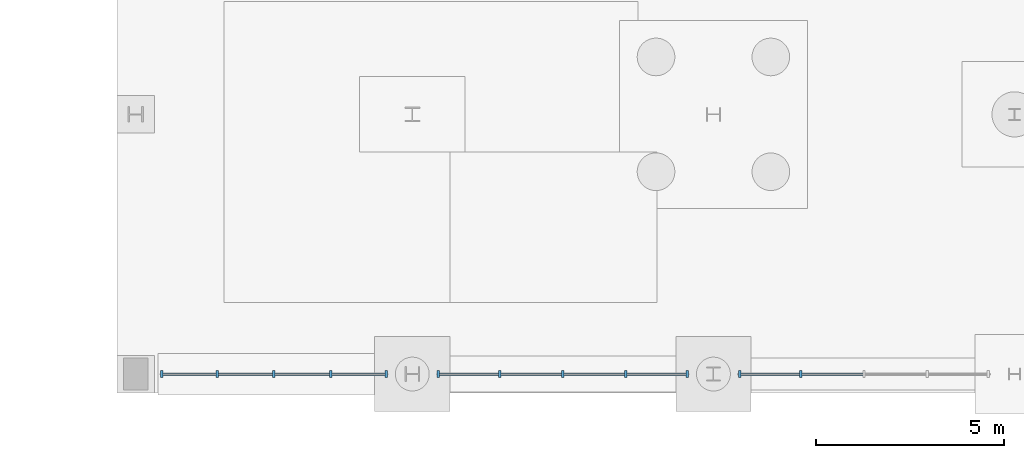
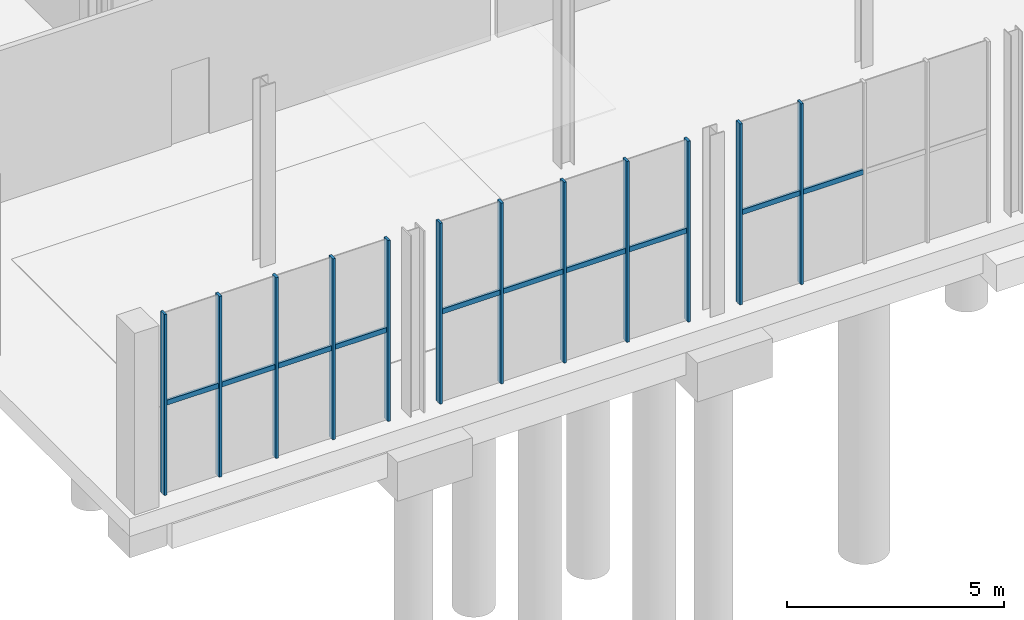
# One storey, part 41 of 87: 22 members, 3 elements without a shape of their own.
"""IFC4 building model written with IfcOpenShell, lengths in metres."""

from ifc_helpers import new_model, si_unit, direction, frame, origin, origin_2d, place, context, subcontext, project, spatial, rectangle, extrude, material, material_profile, profile_set, type_object, element, aggregate, save


model = new_model("IFC4")

# Units and contexts
model_context = context("Model", 3, precision=1e-05, world=origin(), true_north=direction((0.0, 1.0)))
body_context = subcontext(model_context, "Body", "Model", "MODEL_VIEW")
ifc_project = project(units=[si_unit("LENGTHUNIT", "METRE"), si_unit("AREAUNIT", "SQUARE_METRE"), si_unit("VOLUMEUNIT", "CUBIC_METRE"), si_unit("PLANEANGLEUNIT", "RADIAN"), si_unit("MASSUNIT", "GRAM", prefix="KILO")], contexts=[model_context])

# Site, building, storey
site_placement = place(None, origin())
site = spatial("IfcSite", under=ifc_project, at=site_placement, CompositionType="ELEMENT")
building_placement = place(site_placement, origin())
building = spatial("IfcBuilding", under=site, at=building_placement, Name="Brisemont Oceanarium", CompositionType="ELEMENT")
storey_placement = place(building_placement, origin())
storey = spatial("IfcBuildingStorey", under=building, at=storey_placement, Name="L00", CompositionType="ELEMENT", Elevation=0.0)

# Curtain wall, members
ifc_material_1 = material(Name="Anodized Extruded Aluminum 6063-T6", Category="aluminium")
curtain_wall_type = type_object("IfcCurtainWallType", Name="CW-EDU-69X45", PredefinedType="NOTDEFINED", material=ifc_material_1)
curtain_wall_1_placement = place(storey_placement, origin())
curtain_wall_1 = element("IfcCurtainWall", 1, at=curtain_wall_1_placement, inside=storey, type_object=curtain_wall_type, Name="CW-07 curtain wall CW-V3-S-L00-01", PredefinedType="NOTDEFINED")
ifc_material_2 = material(Name="Anodized Extruded Aluminum 6063-T6", Category="aluminium")
ifc_material_profile_1 = material_profile(ifc_material_2, rectangle(XDim=0.06494140625, YDim=0.179931640625, at=origin_2d()), Name="CWM-65X180")
ifc_profile_set_1 = profile_set([ifc_material_profile_1], Name="Anodized Extruded Aluminum 6063-T6")
member_type_1 = type_object("IfcMemberType", Name="MEM-CWM-65", PredefinedType="MULLION", material=ifc_profile_set_1)
member_1_placement = place(storey_placement, frame((113.344970703125, 1.10009765625, 0.0), z_axis=(0.0, 0.0, 1.0), x_axis=(1.0, 0.0, 0.0)))
member_1 = element("IfcMember", 2, at=member_1_placement, type_object=member_type_1, Name="CW-V3-S-L00-01 mullion 1", PredefinedType="MULLION", context=body_context, shape_type="SweptSolid", body=[
    extrude(rectangle(XDim=0.06494140625, YDim=0.179931640625, at=origin_2d()), origin(), (0.0, 0.0, 1.0), 5.10009765625),
])
member_2_placement = place(storey_placement, frame((114.8125, 1.10009765625, 0.0), z_axis=(0.0, 0.0, 1.0), x_axis=(1.0, 0.0, 0.0)))
member_2 = element("IfcMember", 3, at=member_2_placement, type_object=member_type_1, Name="CW-V3-S-L00-01 mullion 2", PredefinedType="MULLION", context=body_context, shape_type="SweptSolid", body=[
    extrude(rectangle(XDim=0.06494140625, YDim=0.179931640625, at=origin_2d()), origin(), (0.0, 0.0, 1.0), 5.10009765625),
])
member_3_placement = place(storey_placement, frame((116.324951171875, 1.10009765625, 0.0), z_axis=(0.0, 0.0, 1.0), x_axis=(1.0, 0.0, 0.0)))
member_3 = element("IfcMember", 4, at=member_3_placement, type_object=member_type_1, Name="CW-V3-S-L00-01 mullion 3", PredefinedType="MULLION", context=body_context, shape_type="SweptSolid", body=[
    extrude(rectangle(XDim=0.06494140625, YDim=0.179931640625, at=origin_2d()), origin(), (0.0, 0.0, 1.0), 5.10009765625),
])
member_4_placement = place(storey_placement, frame((117.83740234375, 1.10009765625, 0.0), z_axis=(0.0, 0.0, 1.0), x_axis=(1.0, 0.0, 0.0)))
member_4 = element("IfcMember", 5, at=member_4_placement, type_object=member_type_1, Name="CW-V3-S-L00-01 mullion 4", PredefinedType="MULLION", context=body_context, shape_type="SweptSolid", body=[
    extrude(rectangle(XDim=0.06494140625, YDim=0.179931640625, at=origin_2d()), origin(), (0.0, 0.0, 1.0), 5.10009765625),
])
member_5_placement = place(storey_placement, frame((119.304931640625, 1.10009765625, 0.0), z_axis=(0.0, 0.0, 1.0), x_axis=(1.0, 0.0, 0.0)))
member_5 = element("IfcMember", 6, at=member_5_placement, type_object=member_type_1, Name="CW-V3-S-L00-01 mullion 5", PredefinedType="MULLION", context=body_context, shape_type="SweptSolid", body=[
    extrude(rectangle(XDim=0.06494140625, YDim=0.179931640625, at=origin_2d()), origin(), (0.0, 0.0, 1.0), 5.10009765625),
])

curtain_wall_2_placement = place(storey_placement, origin())
curtain_wall_2 = element("IfcCurtainWall", 7, at=curtain_wall_2_placement, inside=storey, type_object=curtain_wall_type, Name="CW-07 curtain wall CW-V3-S-L00-02", PredefinedType="NOTDEFINED")
member_6_placement = place(storey_placement, frame((120.695068359375, 1.10009765625, 0.0), z_axis=(0.0, 0.0, 1.0), x_axis=(1.0, 0.0, 0.0)))
member_6 = element("IfcMember", 8, at=member_6_placement, type_object=member_type_1, Name="CW-V3-S-L00-02 mullion 1", PredefinedType="MULLION", context=body_context, shape_type="SweptSolid", body=[
    extrude(rectangle(XDim=0.06494140625, YDim=0.179931640625, at=origin_2d()), origin(), (0.0, 0.0, 1.0), 5.10009765625),
])
member_7_placement = place(storey_placement, frame((122.324951171875, 1.10009765625, 0.0), z_axis=(0.0, 0.0, 1.0), x_axis=(1.0, 0.0, 0.0)))
member_7 = element("IfcMember", 9, at=member_7_placement, type_object=member_type_1, Name="CW-V3-S-L00-02 mullion 2", PredefinedType="MULLION", context=body_context, shape_type="SweptSolid", body=[
    extrude(rectangle(XDim=0.06494140625, YDim=0.179931640625, at=origin_2d()), origin(), (0.0, 0.0, 1.0), 5.10009765625),
])
member_8_placement = place(storey_placement, frame((124.0, 1.10009765625, 0.0), z_axis=(0.0, 0.0, 1.0), x_axis=(1.0, 0.0, 0.0)))
member_8 = element("IfcMember", 10, at=member_8_placement, type_object=member_type_1, Name="CW-V3-S-L00-02 mullion 3", PredefinedType="MULLION", context=body_context, shape_type="SweptSolid", body=[
    extrude(rectangle(XDim=0.06494140625, YDim=0.179931640625, at=origin_2d()), origin(), (0.0, 0.0, 1.0), 5.10009765625),
])
member_9_placement = place(storey_placement, frame((125.675048828125, 1.10009765625, 0.0), z_axis=(0.0, 0.0, 1.0), x_axis=(1.0, 0.0, 0.0)))
member_9 = element("IfcMember", 11, at=member_9_placement, type_object=member_type_1, Name="CW-V3-S-L00-02 mullion 4", PredefinedType="MULLION", context=body_context, shape_type="SweptSolid", body=[
    extrude(rectangle(XDim=0.06494140625, YDim=0.179931640625, at=origin_2d()), origin(), (0.0, 0.0, 1.0), 5.10009765625),
])
member_10_placement = place(storey_placement, frame((127.304931640625, 1.10009765625, 0.0), z_axis=(0.0, 0.0, 1.0), x_axis=(1.0, 0.0, 0.0)))
member_10 = element("IfcMember", 12, at=member_10_placement, type_object=member_type_1, Name="CW-V3-S-L00-02 mullion 5", PredefinedType="MULLION", context=body_context, shape_type="SweptSolid", body=[
    extrude(rectangle(XDim=0.06494140625, YDim=0.179931640625, at=origin_2d()), origin(), (0.0, 0.0, 1.0), 5.10009765625),
])

curtain_wall_3_placement = place(storey_placement, origin())
curtain_wall_3 = element("IfcCurtainWall", 13, at=curtain_wall_3_placement, inside=storey, type_object=curtain_wall_type, Name="CW-07 curtain wall CW-V3-S-L00-03", PredefinedType="NOTDEFINED")
member_11_placement = place(storey_placement, frame((128.695068359375, 1.10009765625, 0.0), z_axis=(0.0, 0.0, 1.0), x_axis=(1.0, 0.0, 0.0)))
member_11 = element("IfcMember", 14, at=member_11_placement, type_object=member_type_1, Name="CW-V3-S-L00-03 mullion 1", PredefinedType="MULLION", context=body_context, shape_type="SweptSolid", body=[
    extrude(rectangle(XDim=0.06494140625, YDim=0.179931640625, at=origin_2d()), origin(), (0.0, 0.0, 1.0), 5.10009765625),
])
member_12_placement = place(storey_placement, frame((130.324951171875, 1.10009765625, 0.0), z_axis=(0.0, 0.0, 1.0), x_axis=(1.0, 0.0, 0.0)))
member_12 = element("IfcMember", 15, at=member_12_placement, type_object=member_type_1, Name="CW-V3-S-L00-03 mullion 2", PredefinedType="MULLION", context=body_context, shape_type="SweptSolid", body=[
    extrude(rectangle(XDim=0.06494140625, YDim=0.179931640625, at=origin_2d()), origin(), (0.0, 0.0, 1.0), 5.10009765625),
])

# Member
ifc_material_3 = material(Name="Anodized Extruded Aluminum 6063-T6", Category="aluminium")
ifc_material_profile_2 = material_profile(ifc_material_3, rectangle(XDim=0.06494140625, YDim=0.139892578125, at=origin_2d()), Name="CWT-65X140")
ifc_profile_set_2 = profile_set([ifc_material_profile_2], Name="Anodized Extruded Aluminum 6063-T6")
member_type_2 = type_object("IfcMemberType", Name="MEM-CWT-65", PredefinedType="USERDEFINED", material=ifc_profile_set_2)
member_13_placement = place(storey_placement, frame((113.31494140625, 1.10009765625, 2.550048828125), z_axis=(1.0, 0.0, 0.0), x_axis=(0.0, 1.0, 0.0)))
member_13 = element("IfcMember", 16, at=member_13_placement, type_object=member_type_2, Name="CW-V3-S-L00-01 transom 1.1", ObjectType="TRANSOM", PredefinedType="USERDEFINED", context=body_context, shape_type="SweptSolid", body=[
    extrude(rectangle(XDim=0.06494140625, YDim=0.139892578125, at=origin_2d()), origin(), (0.0, 0.0, 1.0), 1.482666015625),
])

member_14_placement = place(storey_placement, frame((114.827392578125, 1.10009765625, 2.550048828125), z_axis=(1.0, 0.0, 0.0), x_axis=(0.0, 1.0, 0.0)))
member_14 = element("IfcMember", 17, at=member_14_placement, type_object=member_type_2, Name="CW-V3-S-L00-01 transom 2.1", ObjectType="TRANSOM", PredefinedType="USERDEFINED", context=body_context, shape_type="SweptSolid", body=[
    extrude(rectangle(XDim=0.06494140625, YDim=0.139892578125, at=origin_2d()), origin(), (0.0, 0.0, 1.0), 1.482666015625),
])

member_15_placement = place(storey_placement, frame((116.340087890625, 1.10009765625, 2.550048828125), z_axis=(1.0, 0.0, 0.0), x_axis=(0.0, 1.0, 0.0)))
member_15 = element("IfcMember", 18, at=member_15_placement, type_object=member_type_2, Name="CW-V3-S-L00-01 transom 3.1", ObjectType="TRANSOM", PredefinedType="USERDEFINED", context=body_context, shape_type="SweptSolid", body=[
    extrude(rectangle(XDim=0.06494140625, YDim=0.139892578125, at=origin_2d()), origin(), (0.0, 0.0, 1.0), 1.482421875),
])

member_16_placement = place(storey_placement, frame((117.8525390625, 1.10009765625, 2.550048828125), z_axis=(1.0, 0.0, 0.0), x_axis=(0.0, 1.0, 0.0)))
member_16 = element("IfcMember", 19, at=member_16_placement, type_object=member_type_2, Name="CW-V3-S-L00-01 transom 4.1", ObjectType="TRANSOM", PredefinedType="USERDEFINED", context=body_context, shape_type="SweptSolid", body=[
    extrude(rectangle(XDim=0.06494140625, YDim=0.139892578125, at=origin_2d()), origin(), (0.0, 0.0, 1.0), 1.482421875),
])

aggregate(curtain_wall_1, [member_1, member_2, member_3, member_4, member_5, member_13, member_14, member_15, member_16])

member_17_placement = place(storey_placement, frame((120.6650390625, 1.10009765625, 2.550048828125), z_axis=(1.0, 0.0, 0.0), x_axis=(0.0, 1.0, 0.0)))
member_17 = element("IfcMember", 20, at=member_17_placement, type_object=member_type_2, Name="CW-V3-S-L00-02 transom 1.1", ObjectType="TRANSOM", PredefinedType="USERDEFINED", context=body_context, shape_type="SweptSolid", body=[
    extrude(rectangle(XDim=0.06494140625, YDim=0.139892578125, at=origin_2d()), origin(), (0.0, 0.0, 1.0), 1.64501953125),
])

member_18_placement = place(storey_placement, frame((122.340087890625, 1.10009765625, 2.550048828125), z_axis=(1.0, 0.0, 0.0), x_axis=(0.0, 1.0, 0.0)))
member_18 = element("IfcMember", 21, at=member_18_placement, type_object=member_type_2, Name="CW-V3-S-L00-02 transom 2.1", ObjectType="TRANSOM", PredefinedType="USERDEFINED", context=body_context, shape_type="SweptSolid", body=[
    extrude(rectangle(XDim=0.06494140625, YDim=0.139892578125, at=origin_2d()), origin(), (0.0, 0.0, 1.0), 1.64501953125),
])

member_19_placement = place(storey_placement, frame((124.014892578125, 1.10009765625, 2.550048828125), z_axis=(1.0, 0.0, 0.0), x_axis=(0.0, 1.0, 0.0)))
member_19 = element("IfcMember", 22, at=member_19_placement, type_object=member_type_2, Name="CW-V3-S-L00-02 transom 3.1", ObjectType="TRANSOM", PredefinedType="USERDEFINED", context=body_context, shape_type="SweptSolid", body=[
    extrude(rectangle(XDim=0.06494140625, YDim=0.139892578125, at=origin_2d()), origin(), (0.0, 0.0, 1.0), 1.64501953125),
])

member_20_placement = place(storey_placement, frame((125.68994140625, 1.10009765625, 2.550048828125), z_axis=(1.0, 0.0, 0.0), x_axis=(0.0, 1.0, 0.0)))
member_20 = element("IfcMember", 23, at=member_20_placement, type_object=member_type_2, Name="CW-V3-S-L00-02 transom 4.1", ObjectType="TRANSOM", PredefinedType="USERDEFINED", context=body_context, shape_type="SweptSolid", body=[
    extrude(rectangle(XDim=0.06494140625, YDim=0.139892578125, at=origin_2d()), origin(), (0.0, 0.0, 1.0), 1.64501953125),
])

aggregate(curtain_wall_2, [member_6, member_7, member_8, member_9, member_10, member_17, member_18, member_19, member_20])

member_21_placement = place(storey_placement, frame((128.6650390625, 1.10009765625, 2.550048828125), z_axis=(1.0, 0.0, 0.0), x_axis=(0.0, 1.0, 0.0)))
member_21 = element("IfcMember", 24, at=member_21_placement, type_object=member_type_2, Name="CW-V3-S-L00-03 transom 1.1", ObjectType="TRANSOM", PredefinedType="USERDEFINED", context=body_context, shape_type="SweptSolid", body=[
    extrude(rectangle(XDim=0.06494140625, YDim=0.139892578125, at=origin_2d()), origin(), (0.0, 0.0, 1.0), 1.64501953125),
])

member_22_placement = place(storey_placement, frame((130.340087890625, 1.10009765625, 2.550048828125), z_axis=(1.0, 0.0, 0.0), x_axis=(0.0, 1.0, 0.0)))
member_22 = element("IfcMember", 25, at=member_22_placement, type_object=member_type_2, Name="CW-V3-S-L00-03 transom 2.1", ObjectType="TRANSOM", PredefinedType="USERDEFINED", context=body_context, shape_type="SweptSolid", body=[
    extrude(rectangle(XDim=0.06494140625, YDim=0.139892578125, at=origin_2d()), origin(), (0.0, 0.0, 1.0), 1.64501953125),
])

aggregate(curtain_wall_3, [member_11, member_12, member_21, member_22])

save(model, "model.ifc")
